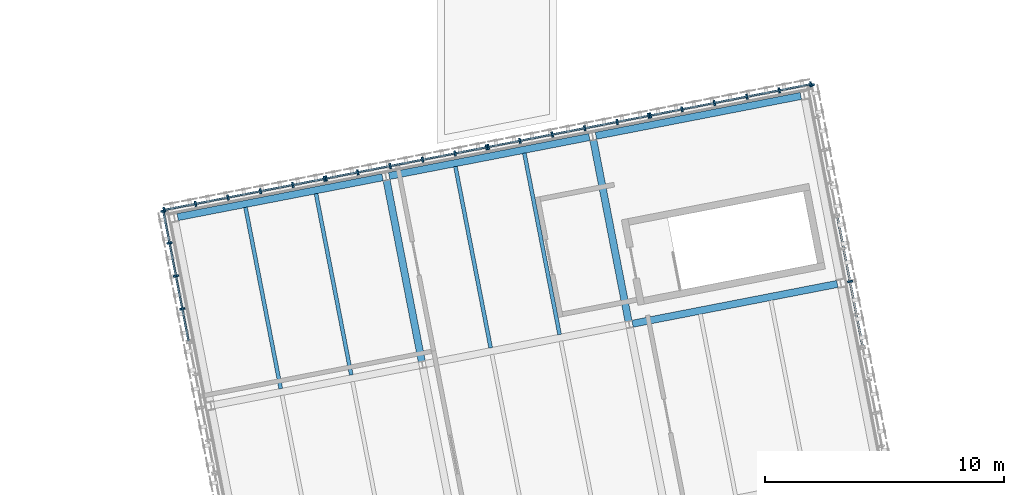
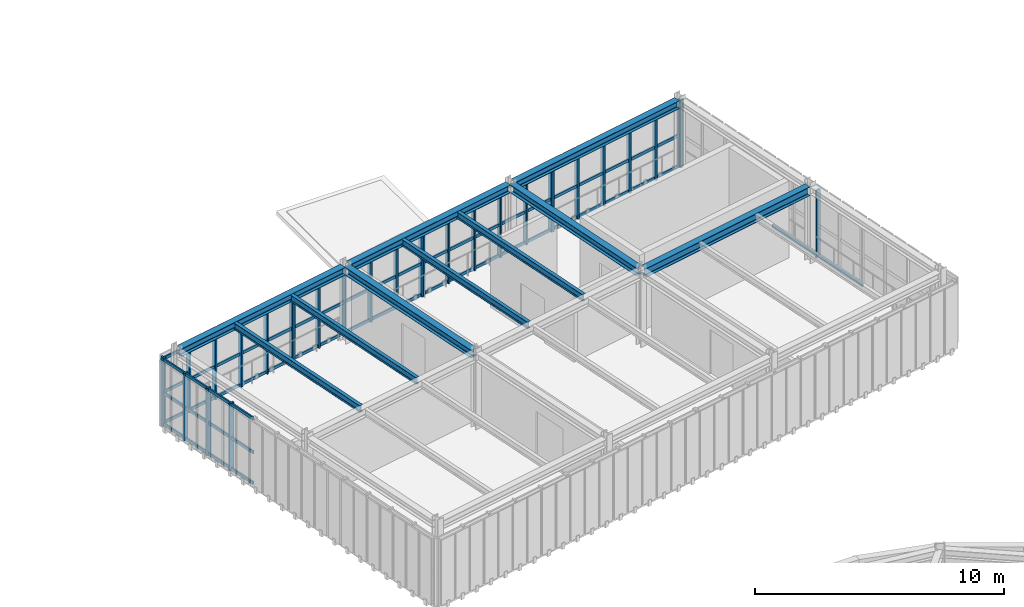
# One storey, part 16 of 44: 46 members, 10 beams, 7 elements without a shape of their own.
"""IFC4 building model written with IfcOpenShell, lengths in metres."""

from ifc_helpers import new_model, si_unit, direction, frame, origin, origin_2d, place, context, subcontext, project, spatial, rectangle, i_section, extrude, material, material_profile, profile_set, type_object, element, aggregate, save


model = new_model("IFC4")

# Units and contexts
model_context = context("Model", 3, precision=1e-05, world=origin(), true_north=direction((0.0, 1.0)))
body_context = subcontext(model_context, "Body", "Model", "MODEL_VIEW")
ifc_project = project(units=[si_unit("LENGTHUNIT", "METRE"), si_unit("AREAUNIT", "SQUARE_METRE"), si_unit("VOLUMEUNIT", "CUBIC_METRE"), si_unit("PLANEANGLEUNIT", "RADIAN"), si_unit("MASSUNIT", "GRAM", prefix="KILO")], contexts=[model_context])

# Site, building, storey
site_placement = place(None, origin())
site = spatial("IfcSite", under=ifc_project, at=site_placement, CompositionType="ELEMENT")
building_placement = place(site_placement, origin())
building = spatial("IfcBuilding", under=site, at=building_placement, Name="Varnklinge Art Gallery", CompositionType="ELEMENT")
storey_placement = place(building_placement, frame((0.0, 0.0, 13.679931640625)))
storey = spatial("IfcBuildingStorey", under=building, at=storey_placement, Name="L03", CompositionType="ELEMENT", Elevation=13.679931640625)

# Beams
ifc_material_1 = material(Name="Steel S355", Category="steel")
ifc_material_profile_1 = material_profile(ifc_material_1, i_section(OverallWidth=0.300048828125, OverallDepth=0.43994140625, WebThickness=0.011474609375, FlangeThickness=0.02099609375, FilletRadius=0.027099609375, at=origin_2d()), Name="HEA 450")
ifc_profile_set_1 = profile_set([ifc_material_profile_1], Name="Steel S355")
beam_type_1 = type_object("IfcBeamType", Name="BM-08", PredefinedType="BEAM", material=ifc_profile_set_1)
beam_1_placement = place(storey_placement, frame((79.95654296875, 73.3662109375, 3.5400390625), z_axis=(0.981628064538, 0.190804462503, 0.0), x_axis=(-0.190804462503, 0.981628064538, 0.0)))
element("IfcBeam", 1, at=beam_1_placement, inside=storey, type_object=beam_type_1, Name="L03 BM-08 BM-V4B-L04-U1-2", PredefinedType="BEAM", context=body_context, shape_type="SweptSolid", body=[
    extrude(i_section(OverallWidth=0.300048828125, OverallDepth=0.43994140625, WebThickness=0.011474609375, FlangeThickness=0.02099609375, FilletRadius=0.027099609375, at=origin_2d()), origin(), (0.0, 0.0, 1.0), 8.719970703125),
])
ifc_material_2 = material(Name="Steel S355", Category="steel")
ifc_material_profile_2 = material_profile(ifc_material_2, i_section(OverallWidth=0.300048828125, OverallDepth=0.389892578125, WebThickness=0.010986328125, FlangeThickness=0.01904296875, FilletRadius=0.027099609375, at=origin_2d()), Name="HEA 400")
ifc_profile_set_2 = profile_set([ifc_material_profile_2], Name="Steel S355")
beam_type_2 = type_object("IfcBeamType", Name="BM-09", PredefinedType="BEAM", material=ifc_profile_set_2)
beam_2_placement = place(storey_placement, frame((71.154052734375, 71.7978515625, 3.565185546875), z_axis=(-0.190785861445, 0.981631679946, 0.0), x_axis=(-0.981631679946, -0.190785861445, 0.0)))
element("IfcBeam", 2, at=beam_2_placement, inside=storey, type_object=beam_type_2, Name="L03 BM-09 BM-V4B-L04-V1-1", PredefinedType="BEAM", context=body_context, shape_type="SweptSolid", body=[
    extrude(i_section(OverallWidth=0.300048828125, OverallDepth=0.389892578125, WebThickness=0.010986328125, FlangeThickness=0.01904296875, FilletRadius=0.027099609375, at=origin_2d()), origin(), (0.0, 0.0, 1.0), 7.72021484375),
])
beam_3_placement = place(storey_placement, frame((79.79248046875, 73.47705078125, 3.565185546875), z_axis=(-0.190822257393, 0.98162460548, 0.0), x_axis=(-0.98162460548, -0.190822257393, 0.0)))
element("IfcBeam", 3, at=beam_3_placement, inside=storey, type_object=beam_type_2, Name="L03 BM-09 BM-V4B-L04-V2-1", PredefinedType="BEAM", context=body_context, shape_type="SweptSolid", body=[
    extrude(i_section(OverallWidth=0.300048828125, OverallDepth=0.389892578125, WebThickness=0.010986328125, FlangeThickness=0.01904296875, FilletRadius=0.027099609375, at=origin_2d()), origin(), (0.0, 0.0, 1.0), 7.719970703125),
])
ifc_material_3 = material(Name="Steel S355", Category="steel")
ifc_material_profile_3 = material_profile(ifc_material_3, i_section(OverallWidth=0.159912109375, OverallDepth=0.330078125, WebThickness=0.007568359375, FlangeThickness=0.011474609375, FilletRadius=0.01806640625, at=origin_2d()), Name="IPE 330")
ifc_profile_set_3 = profile_set([ifc_material_profile_3], Name="Steel S355")
beam_type_3 = type_object("IfcBeamType", Name="JST-07", PredefinedType="JOIST", material=ifc_profile_set_3)
beam_4_placement = place(storey_placement, frame((65.264404296875, 70.653076171875, 3.594970703125), z_axis=(-0.190822257393, 0.98162460548, 0.0), x_axis=(-0.98162460548, -0.190822257393, 0.0)))
element("IfcBeam", 4, at=beam_4_placement, inside=storey, type_object=beam_type_3, Name="L03 JST-07 JST-V4B-L04-0-1-1", PredefinedType="JOIST", context=body_context, shape_type="SweptSolid", body=[
    extrude(i_section(OverallWidth=0.159912109375, OverallDepth=0.330078125, WebThickness=0.007568359375, FlangeThickness=0.011474609375, FilletRadius=0.01806640625, at=origin_2d()), origin(), (0.0, 0.0, 1.0), 7.719970703125),
])
beam_5_placement = place(storey_placement, frame((68.209228515625, 71.225341796875, 3.594970703125), z_axis=(-0.190816333803, 0.981625756974, 0.0), x_axis=(-0.981625756974, -0.190816333803, 0.0)))
element("IfcBeam", 5, at=beam_5_placement, inside=storey, type_object=beam_type_3, Name="L03 JST-07 JST-V4B-L04-0-1-2", PredefinedType="JOIST", context=body_context, shape_type="SweptSolid", body=[
    extrude(i_section(OverallWidth=0.159912109375, OverallDepth=0.330078125, WebThickness=0.007568359375, FlangeThickness=0.011474609375, FilletRadius=0.01806640625, at=origin_2d()), origin(), (0.0, 0.0, 1.0), 7.72021484375),
])
beam_6_placement = place(storey_placement, frame((74.03369140625, 72.357666015625, 3.594970703125), z_axis=(-0.190822257393, 0.98162460548, 0.0), x_axis=(-0.98162460548, -0.190822257393, 0.0)))
element("IfcBeam", 6, at=beam_6_placement, inside=storey, type_object=beam_type_3, Name="L03 JST-07 JST-V4B-L04-1-1-1", PredefinedType="JOIST", context=body_context, shape_type="SweptSolid", body=[
    extrude(i_section(OverallWidth=0.159912109375, OverallDepth=0.330078125, WebThickness=0.007568359375, FlangeThickness=0.011474609375, FilletRadius=0.01806640625, at=origin_2d()), origin(), (0.0, 0.0, 1.0), 7.719970703125),
])
beam_7_placement = place(storey_placement, frame((76.9130859375, 72.917236328125, 3.594970703125), z_axis=(-0.190816333803, 0.981625756974, 0.0), x_axis=(-0.981625756974, -0.190816333803, 0.0)))
element("IfcBeam", 7, at=beam_7_placement, inside=storey, type_object=beam_type_3, Name="L03 JST-07 JST-V4B-L04-1-1-2", PredefinedType="JOIST", context=body_context, shape_type="SweptSolid", body=[
    extrude(i_section(OverallWidth=0.159912109375, OverallDepth=0.330078125, WebThickness=0.007568359375, FlangeThickness=0.011474609375, FilletRadius=0.01806640625, at=origin_2d()), origin(), (0.0, 0.0, 1.0), 7.72021484375),
])

# Curtain wall, member
ifc_material_4 = material(Name="Anodised Aluminium", Category="aluminium")
curtain_wall_type_1 = type_object("IfcCurtainWallType", Name="CW-L08", PredefinedType="USERDEFINED", material=ifc_material_4)
curtain_wall_1_placement = place(storey_placement, origin())
curtain_wall_1 = element("IfcCurtainWall", 8, at=curtain_wall_1_placement, inside=storey, type_object=curtain_wall_type_1, Name="L03 Curtain Wall CW-V4B-L03-2-1-2", ObjectType="UNITISED CURTAIN WALL", PredefinedType="USERDEFINED")
ifc_material_5 = material(Name="Anodised Aluminium", Category="aluminium")
ifc_material_profile_4 = material_profile(ifc_material_5, rectangle(XDim=0.074951171875, YDim=0.219970703125, at=origin_2d()), Name="ALU 75x220")
ifc_profile_set_4 = profile_set([ifc_material_profile_4], Name="Anodised Aluminium")
member_type_1 = type_object("IfcMemberType", Name="MUL-02", PredefinedType="MULLION", material=ifc_profile_set_4)
member_1_placement = place(storey_placement, frame((89.04638671875, 75.13330078125, 0.0), z_axis=(0.0, 0.0, 1.0), x_axis=(-0.190808995377, 0.981627183448, 0.0)))
member_1 = element("IfcMember", 9, at=member_1_placement, type_object=member_type_1, Name="CW-V4B-L03-2-1-2 Mullion 3", PredefinedType="MULLION", context=body_context, shape_type="SweptSolid", body=[
    extrude(rectangle(XDim=0.074951171875, YDim=0.219970703125, at=origin_2d()), origin(), (0.0, 0.0, 1.0), 3.31005859375),
])

curtain_wall_2_placement = place(storey_placement, origin())
curtain_wall_2 = element("IfcCurtainWall", 10, at=curtain_wall_2_placement, inside=storey, type_object=curtain_wall_type_1, Name="L03 Curtain Wall CW-V4B-L03-2-1-3", ObjectType="UNITISED CURTAIN WALL", PredefinedType="USERDEFINED")
member_2_placement = place(storey_placement, frame((87.450927734375, 83.342041015625, 0.0), z_axis=(0.0, 0.0, 1.0), x_axis=(-0.190808995377, 0.981627183448, 0.0)))
member_2 = element("IfcMember", 11, at=member_2_placement, type_object=member_type_1, Name="CW-V4B-L03-2-1-3 Mullion 5", PredefinedType="MULLION", context=body_context, shape_type="SweptSolid", body=[
    extrude(rectangle(XDim=0.074951171875, YDim=0.219970703125, at=origin_2d()), origin(), (0.0, 0.0, 1.0), 3.31005859375),
])
aggregate(curtain_wall_2, [member_2])

# Curtain wall, members
ifc_material_6 = material(Name="Anodised Aluminium", Category="aluminium")
curtain_wall_type_2 = type_object("IfcCurtainWallType", Name="CW-L04", PredefinedType="USERDEFINED", material=ifc_material_6)
curtain_wall_3_placement = place(storey_placement, origin())
curtain_wall_3 = element("IfcCurtainWall", 12, at=curtain_wall_3_placement, inside=storey, type_object=curtain_wall_type_2, Name="L03 Curtain Wall CW-V4B-L03-3-1-1", ObjectType="UNITISED CURTAIN WALL", PredefinedType="USERDEFINED")
member_3_placement = place(storey_placement, frame((87.406982421875, 83.37158203125, 0.0), z_axis=(0.0, 0.0, 1.0), x_axis=(-0.981627183448, -0.190808995377, 0.0)))
member_3 = element("IfcMember", 13, at=member_3_placement, type_object=member_type_1, Name="CW-V4B-L03-3-1-1 Mullion 1", PredefinedType="MULLION", context=body_context, shape_type="SweptSolid", body=[
    extrude(rectangle(XDim=0.074951171875, YDim=0.219970703125, at=origin_2d()), origin(), (0.0, 0.0, 1.0), 3.31005859375),
])
member_4_placement = place(storey_placement, frame((86.089111328125, 83.115478515625, 0.0), z_axis=(0.0, 0.0, 1.0), x_axis=(-0.981627183448, -0.190808995377, 0.0)))
member_4 = element("IfcMember", 14, at=member_4_placement, type_object=member_type_1, Name="CW-V4B-L03-3-1-1 Mullion 2", PredefinedType="MULLION", context=body_context, shape_type="SweptSolid", body=[
    extrude(rectangle(XDim=0.074951171875, YDim=0.219970703125, at=origin_2d()), origin(), (0.0, 0.0, 1.0), 3.31005859375),
])
member_5_placement = place(storey_placement, frame((84.734375, 82.852294921875, 0.0), z_axis=(0.0, 0.0, 1.0), x_axis=(-0.981627183448, -0.190808995377, 0.0)))
member_5 = element("IfcMember", 15, at=member_5_placement, type_object=member_type_1, Name="CW-V4B-L03-3-1-1 Mullion 3", PredefinedType="MULLION", context=body_context, shape_type="SweptSolid", body=[
    extrude(rectangle(XDim=0.074951171875, YDim=0.219970703125, at=origin_2d()), origin(), (0.0, 0.0, 1.0), 3.31005859375),
])
member_6_placement = place(storey_placement, frame((83.3798828125, 82.5888671875, 0.0), z_axis=(0.0, 0.0, 1.0), x_axis=(-0.981627183448, -0.190808995377, 0.0)))
member_6 = element("IfcMember", 16, at=member_6_placement, type_object=member_type_1, Name="CW-V4B-L03-3-1-1 Mullion 4", PredefinedType="MULLION", context=body_context, shape_type="SweptSolid", body=[
    extrude(rectangle(XDim=0.074951171875, YDim=0.219970703125, at=origin_2d()), origin(), (0.0, 0.0, 1.0), 3.31005859375),
])
member_7_placement = place(storey_placement, frame((82.025146484375, 82.325439453125, 0.0), z_axis=(0.0, 0.0, 1.0), x_axis=(-0.981627183448, -0.190808995377, 0.0)))
member_7 = element("IfcMember", 17, at=member_7_placement, type_object=member_type_1, Name="CW-V4B-L03-3-1-1 Mullion 5", PredefinedType="MULLION", context=body_context, shape_type="SweptSolid", body=[
    extrude(rectangle(XDim=0.074951171875, YDim=0.219970703125, at=origin_2d()), origin(), (0.0, 0.0, 1.0), 3.31005859375),
])
member_8_placement = place(storey_placement, frame((80.707275390625, 82.0693359375, 0.0), z_axis=(0.0, 0.0, 1.0), x_axis=(-0.981627183448, -0.190808995377, 0.0)))
member_8 = element("IfcMember", 18, at=member_8_placement, type_object=member_type_1, Name="CW-V4B-L03-3-1-1 Mullion 6", PredefinedType="MULLION", context=body_context, shape_type="SweptSolid", body=[
    extrude(rectangle(XDim=0.074951171875, YDim=0.219970703125, at=origin_2d()), origin(), (0.0, 0.0, 1.0), 3.31005859375),
])

curtain_wall_4_placement = place(storey_placement, origin())
curtain_wall_4 = element("IfcCurtainWall", 19, at=curtain_wall_4_placement, inside=storey, type_object=curtain_wall_type_2, Name="L03 Curtain Wall CW-V4B-L03-3-1-2", ObjectType="UNITISED CURTAIN WALL", PredefinedType="USERDEFINED")
member_9_placement = place(storey_placement, frame((80.6337890625, 82.054931640625, 0.0), z_axis=(0.0, 0.0, 1.0), x_axis=(-0.981627183448, -0.190808995377, 0.0)))
member_9 = element("IfcMember", 20, at=member_9_placement, type_object=member_type_1, Name="CW-V4B-L03-3-1-2 Mullion 1", PredefinedType="MULLION", context=body_context, shape_type="SweptSolid", body=[
    extrude(rectangle(XDim=0.074951171875, YDim=0.219970703125, at=origin_2d()), origin(), (0.0, 0.0, 1.0), 3.31005859375),
])
member_10_placement = place(storey_placement, frame((79.31591796875, 81.798828125, 0.0), z_axis=(0.0, 0.0, 1.0), x_axis=(-0.981627183448, -0.190808995377, 0.0)))
member_10 = element("IfcMember", 21, at=member_10_placement, type_object=member_type_1, Name="CW-V4B-L03-3-1-2 Mullion 2", PredefinedType="MULLION", context=body_context, shape_type="SweptSolid", body=[
    extrude(rectangle(XDim=0.074951171875, YDim=0.219970703125, at=origin_2d()), origin(), (0.0, 0.0, 1.0), 3.31005859375),
])
member_11_placement = place(storey_placement, frame((77.961181640625, 81.53564453125, 0.0), z_axis=(0.0, 0.0, 1.0), x_axis=(-0.981627183448, -0.190808995377, 0.0)))
member_11 = element("IfcMember", 22, at=member_11_placement, type_object=member_type_1, Name="CW-V4B-L03-3-1-2 Mullion 3", PredefinedType="MULLION", context=body_context, shape_type="SweptSolid", body=[
    extrude(rectangle(XDim=0.074951171875, YDim=0.219970703125, at=origin_2d()), origin(), (0.0, 0.0, 1.0), 3.31005859375),
])
member_12_placement = place(storey_placement, frame((76.6064453125, 81.272216796875, 0.0), z_axis=(0.0, 0.0, 1.0), x_axis=(-0.981627183448, -0.190808995377, 0.0)))
member_12 = element("IfcMember", 23, at=member_12_placement, type_object=member_type_1, Name="CW-V4B-L03-3-1-2 Mullion 4", PredefinedType="MULLION", context=body_context, shape_type="SweptSolid", body=[
    extrude(rectangle(XDim=0.074951171875, YDim=0.219970703125, at=origin_2d()), origin(), (0.0, 0.0, 1.0), 3.31005859375),
])
member_13_placement = place(storey_placement, frame((75.251953125, 81.0087890625, 0.0), z_axis=(0.0, 0.0, 1.0), x_axis=(-0.981627183448, -0.190808995377, 0.0)))
member_13 = element("IfcMember", 24, at=member_13_placement, type_object=member_type_1, Name="CW-V4B-L03-3-1-2 Mullion 5", PredefinedType="MULLION", context=body_context, shape_type="SweptSolid", body=[
    extrude(rectangle(XDim=0.074951171875, YDim=0.219970703125, at=origin_2d()), origin(), (0.0, 0.0, 1.0), 3.31005859375),
])
member_14_placement = place(storey_placement, frame((73.93408203125, 80.752685546875, 0.0), z_axis=(0.0, 0.0, 1.0), x_axis=(-0.981627183448, -0.190808995377, 0.0)))
member_14 = element("IfcMember", 25, at=member_14_placement, type_object=member_type_1, Name="CW-V4B-L03-3-1-2 Mullion 6", PredefinedType="MULLION", context=body_context, shape_type="SweptSolid", body=[
    extrude(rectangle(XDim=0.074951171875, YDim=0.219970703125, at=origin_2d()), origin(), (0.0, 0.0, 1.0), 3.31005859375),
])

curtain_wall_5_placement = place(storey_placement, origin())
curtain_wall_5 = element("IfcCurtainWall", 26, at=curtain_wall_5_placement, inside=storey, type_object=curtain_wall_type_2, Name="L03 Curtain Wall CW-V4B-L03-3-1-3", ObjectType="UNITISED CURTAIN WALL", PredefinedType="USERDEFINED")
member_15_placement = place(storey_placement, frame((73.8603515625, 80.73828125, 0.0), z_axis=(0.0, 0.0, 1.0), x_axis=(-0.981627183448, -0.190808995377, 0.0)))
member_15 = element("IfcMember", 27, at=member_15_placement, type_object=member_type_1, Name="CW-V4B-L03-3-1-3 Mullion 1", PredefinedType="MULLION", context=body_context, shape_type="SweptSolid", body=[
    extrude(rectangle(XDim=0.074951171875, YDim=0.219970703125, at=origin_2d()), origin(), (0.0, 0.0, 1.0), 3.31005859375),
])
member_16_placement = place(storey_placement, frame((72.54248046875, 80.482421875, 0.0), z_axis=(0.0, 0.0, 1.0), x_axis=(-0.981627183448, -0.190808995377, 0.0)))
member_16 = element("IfcMember", 28, at=member_16_placement, type_object=member_type_1, Name="CW-V4B-L03-3-1-3 Mullion 2", PredefinedType="MULLION", context=body_context, shape_type="SweptSolid", body=[
    extrude(rectangle(XDim=0.074951171875, YDim=0.219970703125, at=origin_2d()), origin(), (0.0, 0.0, 1.0), 3.31005859375),
])
member_17_placement = place(storey_placement, frame((71.18798828125, 80.218994140625, 0.0), z_axis=(0.0, 0.0, 1.0), x_axis=(-0.981627183448, -0.190808995377, 0.0)))
member_17 = element("IfcMember", 29, at=member_17_placement, type_object=member_type_1, Name="CW-V4B-L03-3-1-3 Mullion 3", PredefinedType="MULLION", context=body_context, shape_type="SweptSolid", body=[
    extrude(rectangle(XDim=0.074951171875, YDim=0.219970703125, at=origin_2d()), origin(), (0.0, 0.0, 1.0), 3.31005859375),
])
member_18_placement = place(storey_placement, frame((69.833251953125, 79.955810546875, 0.0), z_axis=(0.0, 0.0, 1.0), x_axis=(-0.981627183448, -0.190808995377, 0.0)))
member_18 = element("IfcMember", 30, at=member_18_placement, type_object=member_type_1, Name="CW-V4B-L03-3-1-3 Mullion 4", PredefinedType="MULLION", context=body_context, shape_type="SweptSolid", body=[
    extrude(rectangle(XDim=0.074951171875, YDim=0.219970703125, at=origin_2d()), origin(), (0.0, 0.0, 1.0), 3.31005859375),
])
member_19_placement = place(storey_placement, frame((68.478515625, 79.6923828125, 0.0), z_axis=(0.0, 0.0, 1.0), x_axis=(-0.981627183448, -0.190808995377, 0.0)))
member_19 = element("IfcMember", 31, at=member_19_placement, type_object=member_type_1, Name="CW-V4B-L03-3-1-3 Mullion 5", PredefinedType="MULLION", context=body_context, shape_type="SweptSolid", body=[
    extrude(rectangle(XDim=0.074951171875, YDim=0.219970703125, at=origin_2d()), origin(), (0.0, 0.0, 1.0), 3.31005859375),
])
member_20_placement = place(storey_placement, frame((67.160888671875, 79.436279296875, 0.0), z_axis=(0.0, 0.0, 1.0), x_axis=(-0.981627183448, -0.190808995377, 0.0)))
member_20 = element("IfcMember", 32, at=member_20_placement, type_object=member_type_1, Name="CW-V4B-L03-3-1-3 Mullion 6", PredefinedType="MULLION", context=body_context, shape_type="SweptSolid", body=[
    extrude(rectangle(XDim=0.074951171875, YDim=0.219970703125, at=origin_2d()), origin(), (0.0, 0.0, 1.0), 3.31005859375),
])

curtain_wall_6_placement = place(storey_placement, origin())
curtain_wall_6 = element("IfcCurtainWall", 33, at=curtain_wall_6_placement, inside=storey, type_object=curtain_wall_type_2, Name="L03 Curtain Wall CW-V4B-L03-3-1-4", ObjectType="UNITISED CURTAIN WALL", PredefinedType="USERDEFINED")
member_21_placement = place(storey_placement, frame((67.087158203125, 79.421875, 0.0), z_axis=(0.0, 0.0, 1.0), x_axis=(-0.981627183448, -0.190808995377, 0.0)))
member_21 = element("IfcMember", 34, at=member_21_placement, type_object=member_type_1, Name="CW-V4B-L03-3-1-4 Mullion 1", PredefinedType="MULLION", context=body_context, shape_type="SweptSolid", body=[
    extrude(rectangle(XDim=0.074951171875, YDim=0.219970703125, at=origin_2d()), origin(), (0.0, 0.0, 1.0), 3.31005859375),
])
member_22_placement = place(storey_placement, frame((65.769287109375, 79.165771484375, 0.0), z_axis=(0.0, 0.0, 1.0), x_axis=(-0.981627183448, -0.190808995377, 0.0)))
member_22 = element("IfcMember", 35, at=member_22_placement, type_object=member_type_1, Name="CW-V4B-L03-3-1-4 Mullion 2", PredefinedType="MULLION", context=body_context, shape_type="SweptSolid", body=[
    extrude(rectangle(XDim=0.074951171875, YDim=0.219970703125, at=origin_2d()), origin(), (0.0, 0.0, 1.0), 3.31005859375),
])
member_23_placement = place(storey_placement, frame((64.414794921875, 78.902587890625, 0.0), z_axis=(0.0, 0.0, 1.0), x_axis=(-0.981627183448, -0.190808995377, 0.0)))
member_23 = element("IfcMember", 36, at=member_23_placement, type_object=member_type_1, Name="CW-V4B-L03-3-1-4 Mullion 3", PredefinedType="MULLION", context=body_context, shape_type="SweptSolid", body=[
    extrude(rectangle(XDim=0.074951171875, YDim=0.219970703125, at=origin_2d()), origin(), (0.0, 0.0, 1.0), 3.31005859375),
])
member_24_placement = place(storey_placement, frame((63.06005859375, 78.63916015625, 0.0), z_axis=(0.0, 0.0, 1.0), x_axis=(-0.981627183448, -0.190808995377, 0.0)))
member_24 = element("IfcMember", 37, at=member_24_placement, type_object=member_type_1, Name="CW-V4B-L03-3-1-4 Mullion 4", PredefinedType="MULLION", context=body_context, shape_type="SweptSolid", body=[
    extrude(rectangle(XDim=0.074951171875, YDim=0.219970703125, at=origin_2d()), origin(), (0.0, 0.0, 1.0), 3.31005859375),
])
member_25_placement = place(storey_placement, frame((61.705322265625, 78.375732421875, 0.0), z_axis=(0.0, 0.0, 1.0), x_axis=(-0.981627183448, -0.190808995377, 0.0)))
member_25 = element("IfcMember", 38, at=member_25_placement, type_object=member_type_1, Name="CW-V4B-L03-3-1-4 Mullion 5", PredefinedType="MULLION", context=body_context, shape_type="SweptSolid", body=[
    extrude(rectangle(XDim=0.074951171875, YDim=0.219970703125, at=origin_2d()), origin(), (0.0, 0.0, 1.0), 3.31005859375),
])
member_26_placement = place(storey_placement, frame((60.387451171875, 78.11962890625, 0.0), z_axis=(0.0, 0.0, 1.0), x_axis=(-0.981627183448, -0.190808995377, 0.0)))
member_26 = element("IfcMember", 39, at=member_26_placement, type_object=member_type_1, Name="CW-V4B-L03-3-1-4 Mullion 6", PredefinedType="MULLION", context=body_context, shape_type="SweptSolid", body=[
    extrude(rectangle(XDim=0.074951171875, YDim=0.219970703125, at=origin_2d()), origin(), (0.0, 0.0, 1.0), 3.31005859375),
])

curtain_wall_7_placement = place(storey_placement, origin())
curtain_wall_7 = element("IfcCurtainWall", 40, at=curtain_wall_7_placement, inside=storey, type_object=curtain_wall_type_1, Name="L03 Curtain Wall CW-V4B-L03-4-1-1", ObjectType="UNITISED CURTAIN WALL", PredefinedType="USERDEFINED")
member_27_placement = place(storey_placement, frame((60.35791015625, 78.07568359375, 0.0), z_axis=(0.0, 0.0, 1.0), x_axis=(0.190808995377, -0.981627183448, 0.0)))
member_27 = element("IfcMember", 41, at=member_27_placement, type_object=member_type_1, Name="CW-V4B-L03-4-1-1 Mullion 1", PredefinedType="MULLION", context=body_context, shape_type="SweptSolid", body=[
    extrude(rectangle(XDim=0.074951171875, YDim=0.219970703125, at=origin_2d()), origin(), (0.0, 0.0, 1.0), 3.31005859375),
])
member_28_placement = place(storey_placement, frame((60.617919921875, 76.73828125, 0.0), z_axis=(0.0, 0.0, 1.0), x_axis=(0.190808995377, -0.981627183448, 0.0)))
member_28 = element("IfcMember", 42, at=member_28_placement, type_object=member_type_1, Name="CW-V4B-L03-4-1-1 Mullion 2", PredefinedType="MULLION", context=body_context, shape_type="SweptSolid", body=[
    extrude(rectangle(XDim=0.074951171875, YDim=0.219970703125, at=origin_2d()), origin(), (0.0, 0.0, 1.0), 3.31005859375),
])
member_29_placement = place(storey_placement, frame((60.885009765625, 75.364013671875, 0.0), z_axis=(0.0, 0.0, 1.0), x_axis=(0.190808995377, -0.981627183448, 0.0)))
member_29 = element("IfcMember", 43, at=member_29_placement, type_object=member_type_1, Name="CW-V4B-L03-4-1-1 Mullion 3", PredefinedType="MULLION", context=body_context, shape_type="SweptSolid", body=[
    extrude(rectangle(XDim=0.074951171875, YDim=0.219970703125, at=origin_2d()), origin(), (0.0, 0.0, 1.0), 3.31005859375),
])
member_30_placement = place(storey_placement, frame((61.152099609375, 73.98974609375, 0.0), z_axis=(0.0, 0.0, 1.0), x_axis=(0.190808995377, -0.981627183448, 0.0)))
member_30 = element("IfcMember", 44, at=member_30_placement, type_object=member_type_1, Name="CW-V4B-L03-4-1-1 Mullion 4", PredefinedType="MULLION", context=body_context, shape_type="SweptSolid", body=[
    extrude(rectangle(XDim=0.074951171875, YDim=0.219970703125, at=origin_2d()), origin(), (0.0, 0.0, 1.0), 3.31005859375),
])

# Beams
ifc_material_7 = material(Name="Steel S355", Category="steel")
ifc_material_profile_5 = material_profile(ifc_material_7, i_section(OverallWidth=0.300048828125, OverallDepth=0.389892578125, WebThickness=0.010986328125, FlangeThickness=0.01904296875, FilletRadius=0.027099609375, at=origin_2d()), Name="HEA 400")
ifc_profile_set_5 = profile_set([ifc_material_profile_5], Name="Steel S355")
beam_type_4 = type_object("IfcBeamType", Name="SPB-03", PredefinedType="SPANDREL", material=ifc_profile_set_5)
beam_8_placement = place(storey_placement, frame((60.95703125, 77.822998046875, 3.565185546875), z_axis=(0.981629083791, 0.190799218699, 0.0), x_axis=(-0.190799218699, 0.981629083791, 0.0)))
element("IfcBeam", 45, at=beam_8_placement, inside=storey, type_object=beam_type_4, Name="L03 SPB-03 BM-V4B-L04-U2-0", PredefinedType="SPANDREL", context=body_context, shape_type="SweptSolid", body=[
    extrude(i_section(OverallWidth=0.300048828125, OverallDepth=0.389892578125, WebThickness=0.010986328125, FlangeThickness=0.01904296875, FilletRadius=0.027099609375, at=origin_2d()), origin(), (0.0, 0.0, 1.0), 8.72021484375),
])
beam_9_placement = place(storey_placement, frame((69.791748046875, 79.540283203125, 3.565185546875), z_axis=(0.981626572932, 0.190812136181, 0.0), x_axis=(-0.190812136181, 0.981626572932, 0.0)))
element("IfcBeam", 46, at=beam_9_placement, inside=storey, type_object=beam_type_4, Name="L03 SPB-03 BM-V4B-L04-U2-1", PredefinedType="SPANDREL", context=body_context, shape_type="SweptSolid", body=[
    extrude(i_section(OverallWidth=0.300048828125, OverallDepth=0.389892578125, WebThickness=0.010986328125, FlangeThickness=0.01904296875, FilletRadius=0.027099609375, at=origin_2d()), origin(), (0.0, 0.0, 1.0), 8.52001953125),
])
beam_10_placement = place(storey_placement, frame((78.43017578125, 81.21923828125, 3.565185546875), z_axis=(0.98162282025, 0.190831440713, 0.0), x_axis=(-0.190831440713, 0.98162282025, 0.0)))
element("IfcBeam", 47, at=beam_10_placement, inside=storey, type_object=beam_type_4, Name="L03 SPB-03 BM-V4B-L04-U2-2", PredefinedType="SPANDREL", context=body_context, shape_type="SweptSolid", body=[
    extrude(i_section(OverallWidth=0.300048828125, OverallDepth=0.389892578125, WebThickness=0.010986328125, FlangeThickness=0.01904296875, FilletRadius=0.027099609375, at=origin_2d()), origin(), (0.0, 0.0, 1.0), 8.719970703125),
])

# Member
ifc_material_8 = material(Name="Anodised Aluminium", Category="aluminium")
ifc_material_profile_6 = material_profile(ifc_material_8, rectangle(XDim=0.06494140625, YDim=0.14990234375, at=origin_2d()), Name="ALU 65x150")
ifc_profile_set_6 = profile_set([ifc_material_profile_6], Name="Anodised Aluminium")
member_type_2 = type_object("IfcMemberType", Name="TRN-01", PredefinedType="USERDEFINED", material=ifc_profile_set_6)
member_31_placement = place(storey_placement, frame((89.573486328125, 72.42138671875, 0.074951171875), z_axis=(-0.190802243749, 0.981628495807, 0.0), x_axis=(-0.981628495807, -0.190802243749, 0.0)))
member_31 = element("IfcMember", 48, at=member_31_placement, type_object=member_type_2, Name="CW-V4B-L03-2-1-2 Transom 1", ObjectType="TRANSOM", PredefinedType="USERDEFINED", context=body_context, shape_type="SweptSolid", body=[
    extrude(rectangle(XDim=0.06494140625, YDim=0.14990234375, at=origin_2d()), origin(), (0.0, 0.0, 1.0), 5.525146484375),
])

aggregate(curtain_wall_1, [member_1, member_31])

member_32_placement = place(storey_placement, frame((87.406982421875, 83.37158203125, 0.074951171875), z_axis=(-0.981628419203, -0.190802637855, 0.0), x_axis=(0.190802637855, -0.981628419203, 0.0)))
member_32 = element("IfcMember", 49, at=member_32_placement, type_object=member_type_2, Name="CW-V4B-L03-3-1-1 Transom 1", ObjectType="TRANSOM", PredefinedType="USERDEFINED", context=body_context, shape_type="SweptSolid", body=[
    extrude(rectangle(XDim=0.06494140625, YDim=0.14990234375, at=origin_2d()), origin(), (0.0, 0.0, 1.0), 6.8251953125),
])

member_33_placement = place(storey_placement, frame((87.406982421875, 83.37158203125, 1.5888671875), z_axis=(-0.981628419203, -0.190802637855, 0.0), x_axis=(0.190802637855, -0.981628419203, 0.0)))
member_33 = element("IfcMember", 50, at=member_33_placement, type_object=member_type_2, Name="CW-V4B-L03-3-1-1 Transom 2", ObjectType="TRANSOM", PredefinedType="USERDEFINED", context=body_context, shape_type="SweptSolid", body=[
    extrude(rectangle(XDim=0.06494140625, YDim=0.14990234375, at=origin_2d()), origin(), (0.0, 0.0, 1.0), 6.8251953125),
])

member_34_placement = place(storey_placement, frame((87.406982421875, 83.37158203125, 3.235107421875), z_axis=(-0.981628419203, -0.190802637855, 0.0), x_axis=(0.190802637855, -0.981628419203, 0.0)))
member_34 = element("IfcMember", 51, at=member_34_placement, type_object=member_type_2, Name="CW-V4B-L03-3-1-1 Transom 3", ObjectType="TRANSOM", PredefinedType="USERDEFINED", context=body_context, shape_type="SweptSolid", body=[
    extrude(rectangle(XDim=0.06494140625, YDim=0.14990234375, at=origin_2d()), origin(), (0.0, 0.0, 1.0), 6.8251953125),
])

aggregate(curtain_wall_3, [member_3, member_4, member_5, member_6, member_7, member_8, member_32, member_33, member_34])

member_35_placement = place(storey_placement, frame((80.6337890625, 82.054931640625, 0.074951171875), z_axis=(-0.981628419203, -0.190802637855, 0.0), x_axis=(0.190802637855, -0.981628419203, 0.0)))
member_35 = element("IfcMember", 52, at=member_35_placement, type_object=member_type_2, Name="CW-V4B-L03-3-1-2 Transom 1", ObjectType="TRANSOM", PredefinedType="USERDEFINED", context=body_context, shape_type="SweptSolid", body=[
    extrude(rectangle(XDim=0.06494140625, YDim=0.14990234375, at=origin_2d()), origin(), (0.0, 0.0, 1.0), 6.8251953125),
])

member_36_placement = place(storey_placement, frame((80.6337890625, 82.054931640625, 1.5888671875), z_axis=(-0.981628419203, -0.190802637855, 0.0), x_axis=(0.190802637855, -0.981628419203, 0.0)))
member_36 = element("IfcMember", 53, at=member_36_placement, type_object=member_type_2, Name="CW-V4B-L03-3-1-2 Transom 2", ObjectType="TRANSOM", PredefinedType="USERDEFINED", context=body_context, shape_type="SweptSolid", body=[
    extrude(rectangle(XDim=0.06494140625, YDim=0.14990234375, at=origin_2d()), origin(), (0.0, 0.0, 1.0), 6.8251953125),
])

member_37_placement = place(storey_placement, frame((80.6337890625, 82.054931640625, 3.235107421875), z_axis=(-0.981628419203, -0.190802637855, 0.0), x_axis=(0.190802637855, -0.981628419203, 0.0)))
member_37 = element("IfcMember", 54, at=member_37_placement, type_object=member_type_2, Name="CW-V4B-L03-3-1-2 Transom 3", ObjectType="TRANSOM", PredefinedType="USERDEFINED", context=body_context, shape_type="SweptSolid", body=[
    extrude(rectangle(XDim=0.06494140625, YDim=0.14990234375, at=origin_2d()), origin(), (0.0, 0.0, 1.0), 6.8251953125),
])

aggregate(curtain_wall_4, [member_9, member_10, member_11, member_12, member_13, member_14, member_35, member_36, member_37])

member_38_placement = place(storey_placement, frame((73.8603515625, 80.73828125, 0.074951171875), z_axis=(-0.981633816585, -0.190774867674, 0.0), x_axis=(0.190774867674, -0.981633816585, 0.0)))
member_38 = element("IfcMember", 55, at=member_38_placement, type_object=member_type_2, Name="CW-V4B-L03-3-1-3 Transom 1", ObjectType="TRANSOM", PredefinedType="USERDEFINED", context=body_context, shape_type="SweptSolid", body=[
    extrude(rectangle(XDim=0.06494140625, YDim=0.14990234375, at=origin_2d()), origin(), (0.0, 0.0, 1.0), 6.82470703125),
])

member_39_placement = place(storey_placement, frame((73.8603515625, 80.73828125, 1.5888671875), z_axis=(-0.981633816585, -0.190774867674, 0.0), x_axis=(0.190774867674, -0.981633816585, 0.0)))
member_39 = element("IfcMember", 56, at=member_39_placement, type_object=member_type_2, Name="CW-V4B-L03-3-1-3 Transom 2", ObjectType="TRANSOM", PredefinedType="USERDEFINED", context=body_context, shape_type="SweptSolid", body=[
    extrude(rectangle(XDim=0.06494140625, YDim=0.14990234375, at=origin_2d()), origin(), (0.0, 0.0, 1.0), 6.82470703125),
])

member_40_placement = place(storey_placement, frame((73.8603515625, 80.73828125, 3.235107421875), z_axis=(-0.981633816585, -0.190774867674, 0.0), x_axis=(0.190774867674, -0.981633816585, 0.0)))
member_40 = element("IfcMember", 57, at=member_40_placement, type_object=member_type_2, Name="CW-V4B-L03-3-1-3 Transom 3", ObjectType="TRANSOM", PredefinedType="USERDEFINED", context=body_context, shape_type="SweptSolid", body=[
    extrude(rectangle(XDim=0.06494140625, YDim=0.14990234375, at=origin_2d()), origin(), (0.0, 0.0, 1.0), 6.82470703125),
])

aggregate(curtain_wall_5, [member_15, member_16, member_17, member_18, member_19, member_20, member_38, member_39, member_40])

member_41_placement = place(storey_placement, frame((67.087158203125, 79.421875, 0.074951171875), z_axis=(-0.981628419203, -0.190802637855, 0.0), x_axis=(0.190802637855, -0.981628419203, 0.0)))
member_41 = element("IfcMember", 58, at=member_41_placement, type_object=member_type_2, Name="CW-V4B-L03-3-1-4 Transom 1", ObjectType="TRANSOM", PredefinedType="USERDEFINED", context=body_context, shape_type="SweptSolid", body=[
    extrude(rectangle(XDim=0.06494140625, YDim=0.14990234375, at=origin_2d()), origin(), (0.0, 0.0, 1.0), 6.8251953125),
])

member_42_placement = place(storey_placement, frame((67.087158203125, 79.421875, 1.5888671875), z_axis=(-0.981628419203, -0.190802637855, 0.0), x_axis=(0.190802637855, -0.981628419203, 0.0)))
member_42 = element("IfcMember", 59, at=member_42_placement, type_object=member_type_2, Name="CW-V4B-L03-3-1-4 Transom 2", ObjectType="TRANSOM", PredefinedType="USERDEFINED", context=body_context, shape_type="SweptSolid", body=[
    extrude(rectangle(XDim=0.06494140625, YDim=0.14990234375, at=origin_2d()), origin(), (0.0, 0.0, 1.0), 6.8251953125),
])

member_43_placement = place(storey_placement, frame((67.087158203125, 79.421875, 3.235107421875), z_axis=(-0.981628419203, -0.190802637855, 0.0), x_axis=(0.190802637855, -0.981628419203, 0.0)))
member_43 = element("IfcMember", 60, at=member_43_placement, type_object=member_type_2, Name="CW-V4B-L03-3-1-4 Transom 3", ObjectType="TRANSOM", PredefinedType="USERDEFINED", context=body_context, shape_type="SweptSolid", body=[
    extrude(rectangle(XDim=0.06494140625, YDim=0.14990234375, at=origin_2d()), origin(), (0.0, 0.0, 1.0), 6.8251953125),
])

aggregate(curtain_wall_6, [member_21, member_22, member_23, member_24, member_25, member_26, member_41, member_42, member_43])

member_44_placement = place(storey_placement, frame((60.35791015625, 78.07568359375, 0.074951171875), z_axis=(0.190802243749, -0.981628495807, 0.0), x_axis=(0.981628495807, 0.190802243749, 0.0)))
member_44 = element("IfcMember", 61, at=member_44_placement, type_object=member_type_2, Name="CW-V4B-L03-4-1-1 Transom 1", ObjectType="TRANSOM", PredefinedType="USERDEFINED", context=body_context, shape_type="SweptSolid", body=[
    extrude(rectangle(XDim=0.06494140625, YDim=0.14990234375, at=origin_2d()), origin(), (0.0, 0.0, 1.0), 5.525146484375),
])

member_45_placement = place(storey_placement, frame((60.35791015625, 78.07568359375, 1.5888671875), z_axis=(0.190802243749, -0.981628495807, 0.0), x_axis=(0.981628495807, 0.190802243749, 0.0)))
member_45 = element("IfcMember", 62, at=member_45_placement, type_object=member_type_2, Name="CW-V4B-L03-4-1-1 Transom 2", ObjectType="TRANSOM", PredefinedType="USERDEFINED", context=body_context, shape_type="SweptSolid", body=[
    extrude(rectangle(XDim=0.06494140625, YDim=0.14990234375, at=origin_2d()), origin(), (0.0, 0.0, 1.0), 5.525146484375),
])

member_46_placement = place(storey_placement, frame((60.35791015625, 78.07568359375, 3.235107421875), z_axis=(0.190802243749, -0.981628495807, 0.0), x_axis=(0.981628495807, 0.190802243749, 0.0)))
member_46 = element("IfcMember", 63, at=member_46_placement, type_object=member_type_2, Name="CW-V4B-L03-4-1-1 Transom 3", ObjectType="TRANSOM", PredefinedType="USERDEFINED", context=body_context, shape_type="SweptSolid", body=[
    extrude(rectangle(XDim=0.06494140625, YDim=0.14990234375, at=origin_2d()), origin(), (0.0, 0.0, 1.0), 5.525146484375),
])

aggregate(curtain_wall_7, [member_27, member_28, member_29, member_30, member_44, member_45, member_46])

save(model, "model.ifc")
